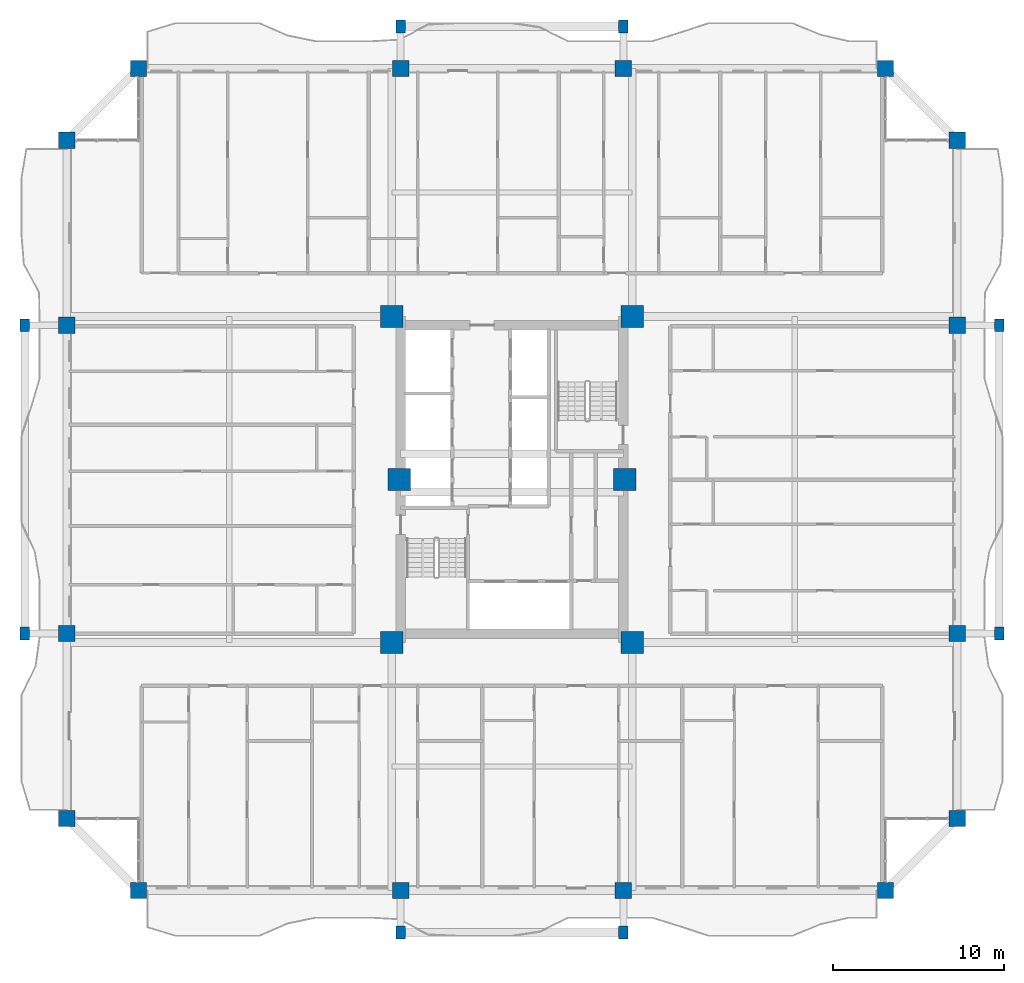
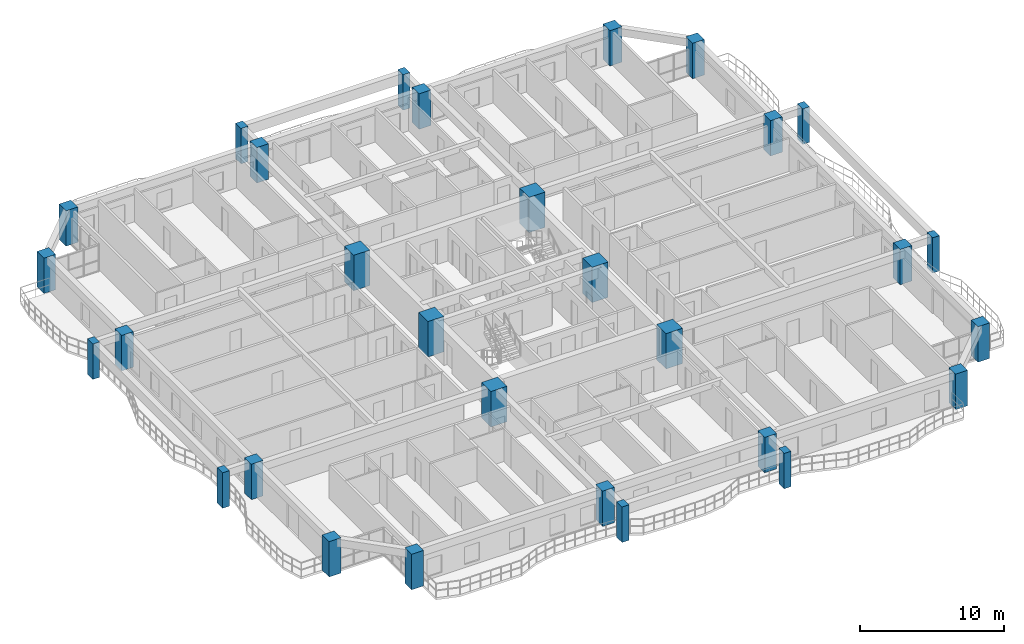
# One storey, part 1 of 26: 30 columns.
"""IFC4 building model written with IfcOpenShell, lengths in metres."""

from ifc_helpers import new_model, si_unit, direction, frame, origin, origin_2d, place, context, subcontext, project, spatial, rectangle, extrude, source, transform, mapped, material, material_profile, profile_set, type_object, element, save


model = new_model("IFC4")

# Units and contexts
model_context = context("Model", 3, precision=1e-05, world=origin(), true_north=direction((0.0, 1.0)))
body_context = subcontext(model_context, "Body", "Model", "MODEL_VIEW")
ifc_project = project(units=[si_unit("LENGTHUNIT", "METRE"), si_unit("AREAUNIT", "SQUARE_METRE"), si_unit("VOLUMEUNIT", "CUBIC_METRE"), si_unit("PLANEANGLEUNIT", "RADIAN"), si_unit("MASSUNIT", "GRAM", prefix="KILO")], contexts=[model_context])

# Site, building, storey
site_placement = place(None, origin())
site = spatial("IfcSite", under=ifc_project, at=site_placement, CompositionType="ELEMENT")
building_placement = place(site_placement, origin())
building = spatial("IfcBuilding", under=site, at=building_placement, Name="Saelheon Loggia Tower", CompositionType="ELEMENT")
storey_placement = place(building_placement, frame((0.0, 0.0, 89.85009765625)))
storey = spatial("IfcBuildingStorey", under=building, at=storey_placement, Name="L28", CompositionType="ELEMENT", Elevation=89.85009765625)

# Columns
ifc_material_1 = material(Name="Precast Concrete C45/55", Category="concrete")
ifc_material_profile_1 = material_profile(ifc_material_1, rectangle(XDim=0.550048828125, YDim=0.75, at=origin_2d()), Name="RC-550x750")
ifc_profile_set_1 = profile_set([ifc_material_profile_1], Name="Precast Concrete C45/55")
column_type_1 = type_object("IfcColumnType", Name="Col_Loggia_Pilaster_750", PredefinedType="PILASTER", material=ifc_profile_set_1)
shared_shape_1 = source(origin(), body_context, "Body", "SweptSolid", [
    extrude(rectangle(XDim=0.550048828125, YDim=0.75, at=origin_2d()), origin(), (0.0, 0.0, 1.0), 3.0),
])
for number, where, z_axis, x_axis, name in (
    (1, (31.5, 0.550048828125, 0.0), (0.0, 0.0, 1.0), (1.0, 0.0, 0.0), "L28 Loggia Frame Pilaster LP-S1"),
    (2, (44.5, 0.550048828125, 0.0), (0.0, 0.0, 1.0), (1.0, 0.0, 0.0), "L28 Loggia Frame Pilaster LP-S2"),
    (3, (31.5, 53.449951171875, 0.0), (0.0, 0.0, 1.0), (1.0, 0.0, 0.0), "L28 Loggia Frame Pilaster LP-N1"),
    (4, (44.5, 53.449951171875, 0.0), (0.0, 0.0, 1.0), (1.0, 0.0, 0.0), "L28 Loggia Frame Pilaster LP-N2"),
    (5, (66.449951171875, 18.0, 0.0), (0.0, 0.0, 1.0), (1.0, 0.0, 0.0), "L28 Loggia Frame Pilaster LP-E1"),
    (6, (66.449951171875, 36.0, 0.0), (0.0, 0.0, 1.0), (1.0, 0.0, 0.0), "L28 Loggia Frame Pilaster LP-E2"),
    (7, (9.550048828125, 18.0, 0.0), (0.0, 0.0, 1.0), (1.0, 0.0, 0.0), "L28 Loggia Frame Pilaster LP-W1"),
    (8, (9.550048828125, 36.0, 0.0), (0.0, 0.0, 1.0), (1.0, 0.0, 0.0), "L28 Loggia Frame Pilaster LP-W2"),
):
    element("IfcColumn", number, at=place(storey_placement, frame(where, z_axis=z_axis, x_axis=x_axis)), inside=storey, type_object=column_type_1, Name=name, PredefinedType="PILASTER", context=body_context, shape_type="MappedRepresentation", body=[
        mapped(shared_shape_1, transform((0.0, 0.0, 0.0), scale=1.0)),
    ])
ifc_material_2 = material(Name="Concrete C60/75", Category="concrete")
ifc_material_profile_2 = material_profile(ifc_material_2, rectangle(XDim=1.300048828125, YDim=1.300048828125, at=origin_2d()), Name="RC-1300x1300")
ifc_profile_set_2 = profile_set([ifc_material_profile_2], Name="Concrete C60/75")
column_type_2 = type_object("IfcColumnType", Name="Col_Core_RC1300", PredefinedType="COLUMN", material=ifc_profile_set_2)
shared_shape_2 = source(origin(), body_context, "Body", "SweptSolid", [
    extrude(rectangle(XDim=1.300048828125, YDim=1.300048828125, at=origin_2d()), origin(), (0.0, 0.0, 1.0), 3.0),
])
for number, where, z_axis, x_axis, name in (
    (9, (30.97998046875, 17.47998046875, 0.0), (0.0, 0.0, 1.0), (1.0, 0.0, 0.0), "L28 Core Column CR-SW"),
    (10, (45.02001953125, 17.47998046875, 0.0), (0.0, 0.0, 1.0), (1.0, 0.0, 0.0), "L28 Core Column CR-SE"),
    (11, (30.97998046875, 36.52001953125, 0.0), (0.0, 0.0, 1.0), (1.0, 0.0, 0.0), "L28 Core Column CR-NW"),
    (12, (45.02001953125, 36.52001953125, 0.0), (0.0, 0.0, 1.0), (1.0, 0.0, 0.0), "L28 Core Column CR-NE"),
    (13, (31.419921875, 27.0, 0.0), (0.0, 0.0, 1.0), (1.0, 0.0, 0.0), "L28 Core Column CR-MW"),
    (14, (44.580078125, 27.0, 0.0), (0.0, 0.0, 1.0), (1.0, 0.0, 0.0), "L28 Core Column CR-ME"),
):
    element("IfcColumn", number, at=place(storey_placement, frame(where, z_axis=z_axis, x_axis=x_axis)), inside=storey, type_object=column_type_2, Name=name, PredefinedType="COLUMN", context=body_context, shape_type="MappedRepresentation", body=[
        mapped(shared_shape_2, transform((0.0, 0.0, 0.0), scale=1.0)),
    ])
ifc_material_3 = material(Name="Concrete C50/60", Category="concrete")
ifc_material_profile_3 = material_profile(ifc_material_3, rectangle(XDim=0.949951171875, YDim=0.949951171875, at=origin_2d()), Name="RC-950x950")
ifc_profile_set_3 = profile_set([ifc_material_profile_3], Name="Concrete C50/60")
column_type_3 = type_object("IfcColumnType", Name="Col_Perim_RC950", PredefinedType="COLUMN", material=ifc_profile_set_3)
shared_shape_3 = source(origin(), body_context, "Body", "SweptSolid", [
    extrude(rectangle(XDim=0.949951171875, YDim=0.949951171875, at=origin_2d()), origin(), (0.0, 0.0, 1.0), 3.0),
])
for number, where, z_axis, x_axis, name in (
    (15, (16.199951171875, 3.0, 0.0), (0.0, 0.0, 1.0), (1.0, 0.0, 0.0), "L28 Perimeter Column TP-S1"),
    (16, (31.5, 3.0, 0.0), (0.0, 0.0, 1.0), (1.0, 0.0, 0.0), "L28 Perimeter Column TP-SA"),
    (17, (44.5, 3.0, 0.0), (0.0, 0.0, 1.0), (1.0, 0.0, 0.0), "L28 Perimeter Column TP-SB"),
    (18, (59.800048828125, 3.0, 0.0), (0.0, 0.0, 1.0), (1.0, 0.0, 0.0), "L28 Perimeter Column TP-S2"),
    (19, (64.0, 7.199951171875, 0.0), (0.0, 0.0, 1.0), (1.0, 0.0, 0.0), "L28 Perimeter Column TP-E1"),
    (20, (64.0, 18.0, 0.0), (0.0, 0.0, 1.0), (1.0, 0.0, 0.0), "L28 Perimeter Column TP-EA"),
    (21, (64.0, 36.0, 0.0), (0.0, 0.0, 1.0), (1.0, 0.0, 0.0), "L28 Perimeter Column TP-EB"),
    (22, (64.0, 46.800048828125, 0.0), (0.0, 0.0, 1.0), (1.0, 0.0, 0.0), "L28 Perimeter Column TP-E2"),
    (23, (59.800048828125, 51.0, 0.0), (0.0, 0.0, 1.0), (1.0, 0.0, 0.0), "L28 Perimeter Column TP-N2"),
    (24, (44.5, 51.0, 0.0), (0.0, 0.0, 1.0), (1.0, 0.0, 0.0), "L28 Perimeter Column TP-NB"),
    (25, (31.5, 51.0, 0.0), (0.0, 0.0, 1.0), (1.0, 0.0, 0.0), "L28 Perimeter Column TP-NA"),
    (26, (16.199951171875, 51.0, 0.0), (0.0, 0.0, 1.0), (1.0, 0.0, 0.0), "L28 Perimeter Column TP-N1"),
    (27, (12.0, 46.800048828125, 0.0), (0.0, 0.0, 1.0), (1.0, 0.0, 0.0), "L28 Perimeter Column TP-W2"),
    (28, (12.0, 36.0, 0.0), (0.0, 0.0, 1.0), (1.0, 0.0, 0.0), "L28 Perimeter Column TP-WB"),
    (29, (12.0, 18.0, 0.0), (0.0, 0.0, 1.0), (1.0, 0.0, 0.0), "L28 Perimeter Column TP-WA"),
    (30, (12.0, 7.199951171875, 0.0), (0.0, 0.0, 1.0), (1.0, 0.0, 0.0), "L28 Perimeter Column TP-W1"),
):
    element("IfcColumn", number, at=place(storey_placement, frame(where, z_axis=z_axis, x_axis=x_axis)), inside=storey, type_object=column_type_3, Name=name, PredefinedType="COLUMN", context=body_context, shape_type="MappedRepresentation", body=[
        mapped(shared_shape_3, transform((0.0, 0.0, 0.0), scale=1.0)),
    ])

save(model, "model.ifc")
